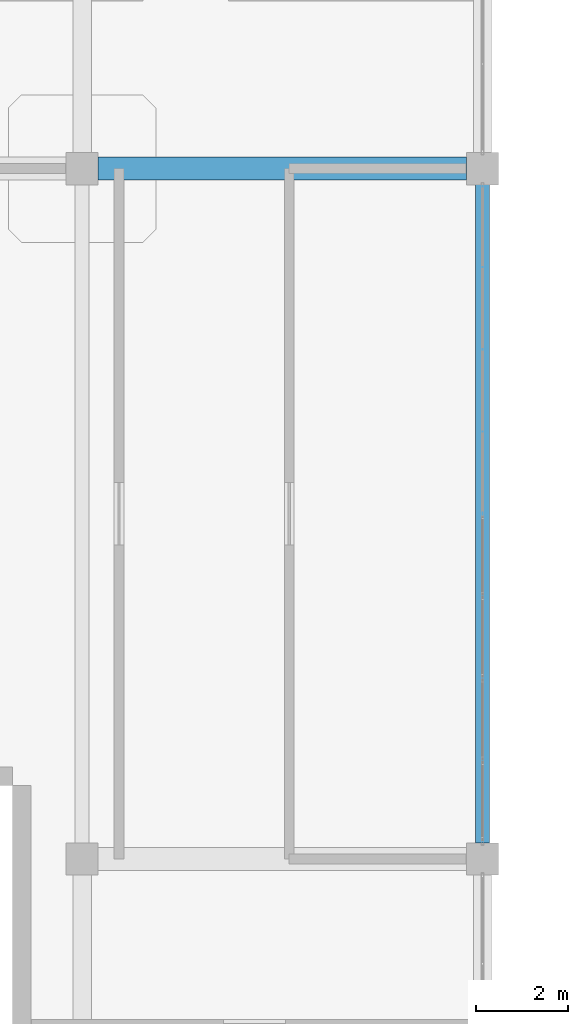
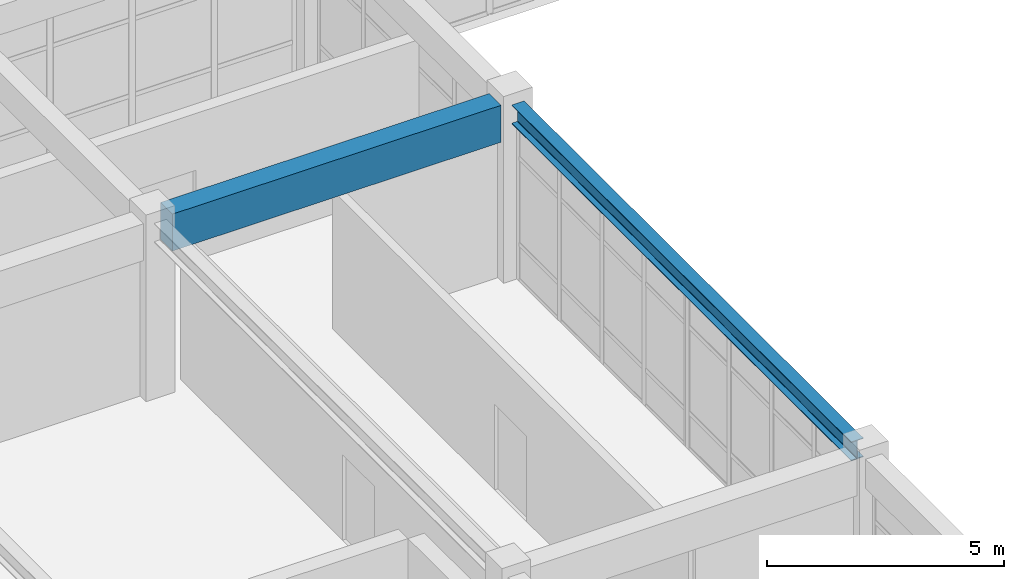
# One storey, part 37 of 64: 2 beams.
"""IFC4 building model written with IfcOpenShell, lengths in metres."""

from ifc_helpers import new_model, si_unit, derived_unit, direction, frame, origin, origin_2d, place, context, subcontext, project, spatial, rectangle, i_section, extrude, material, material_profile, profile_set, type_object, element, save


model = new_model("IFC4")

# Units and contexts
model_context = context("Model", 3, precision=1e-05, world=origin(), true_north=direction((0.0, 1.0)))
body_context = subcontext(model_context, "Body", "Model", "MODEL_VIEW")
ifc_project = project(units=[si_unit("LENGTHUNIT", "METRE"), si_unit("AREAUNIT", "SQUARE_METRE"), si_unit("VOLUMEUNIT", "CUBIC_METRE"), si_unit("PLANEANGLEUNIT", "RADIAN"), si_unit("MASSUNIT", "GRAM", prefix="KILO"), derived_unit("THERMALTRANSMITTANCEUNIT", [(si_unit("MASSUNIT", "GRAM", prefix="KILO"), 1), (si_unit("TIMEUNIT", "SECOND"), -3), (si_unit("THERMODYNAMICTEMPERATUREUNIT", "KELVIN"), -1)])], contexts=[model_context])

# Site, building, storey
site_placement = place(None, origin())
site = spatial("IfcSite", under=ifc_project, at=site_placement, CompositionType="ELEMENT")
building_placement = place(site_placement, origin())
building = spatial("IfcBuilding", under=site, at=building_placement, Name="Qinzheling Arcade Emporium", CompositionType="ELEMENT")
storey_placement = place(building_placement, frame((0.0, 0.0, 31.5)))
storey = spatial("IfcBuildingStorey", under=building, at=storey_placement, Name="L07", CompositionType="ELEMENT", Elevation=31.5)

# Beams
ifc_material_1 = material(Name="Structural steel Q355B", Category="steel")
ifc_material_profile_1 = material_profile(ifc_material_1, i_section(OverallWidth=0.300048828125, OverallDepth=0.488037109375, WebThickness=0.010986328125, FlangeThickness=0.01806640625, FilletRadius=0.02197265625, at=origin_2d()), Name="HM 488x300x11x18", Category="steel")
ifc_profile_set_1 = profile_set([ifc_material_profile_1], Name="Structural steel Q355B")
beam_type_1 = type_object("IfcBeamType", Name="Atrium Bridge Girder HM488 Q355B", PredefinedType="USERDEFINED", material=ifc_profile_set_1)
beam_1_placement = place(storey_placement, frame((104.39990234375, 50.75, 4.27587890625), z_axis=(0.0, 1.0, 0.0), x_axis=(-1.0, 0.0, 0.0)))
element("IfcBeam", 1, at=beam_1_placement, inside=storey, type_object=beam_type_1, Name="Beam BM-L07-Y-13-G", ObjectType="TRANSFER_GIRDER", PredefinedType="USERDEFINED", context=body_context, shape_type="SweptSolid", body=[
    extrude(i_section(OverallWidth=0.300048828125, OverallDepth=0.488037109375, WebThickness=0.010986328125, FlangeThickness=0.01806640625, FilletRadius=0.02197265625, at=origin_2d()), origin(), (0.0, 0.0, 1.0), 14.300048828125),
])
ifc_material_2 = material(Name="Concrete C40", Category="concrete")
ifc_material_profile_2 = material_profile(ifc_material_2, rectangle(XDim=0.5, YDim=0.949951171875, at=origin_2d()), Name="RC 500x950", Category="concrete")
ifc_profile_set_2 = profile_set([ifc_material_profile_2], Name="Concrete C40")
beam_type_2 = type_object("IfcBeamType", Name="RC Vault Ring Beam 500x950 C40", PredefinedType="BEAM", material=ifc_profile_set_2)
beam_2_placement = place(storey_placement, frame((96.050048828125, 65.39990234375, 4.044921875), z_axis=(1.0, 0.0, 0.0), x_axis=(0.0, 1.0, 0.0)))
element("IfcBeam", 2, at=beam_2_placement, inside=storey, type_object=beam_type_2, Name="Beam BM-L07-X-H-12", PredefinedType="BEAM", context=body_context, shape_type="SweptSolid", body=[
    extrude(rectangle(XDim=0.5, YDim=0.949951171875, at=origin_2d()), origin(), (0.0, 0.0, 1.0), 8.0),
])

save(model, "model.ifc")
